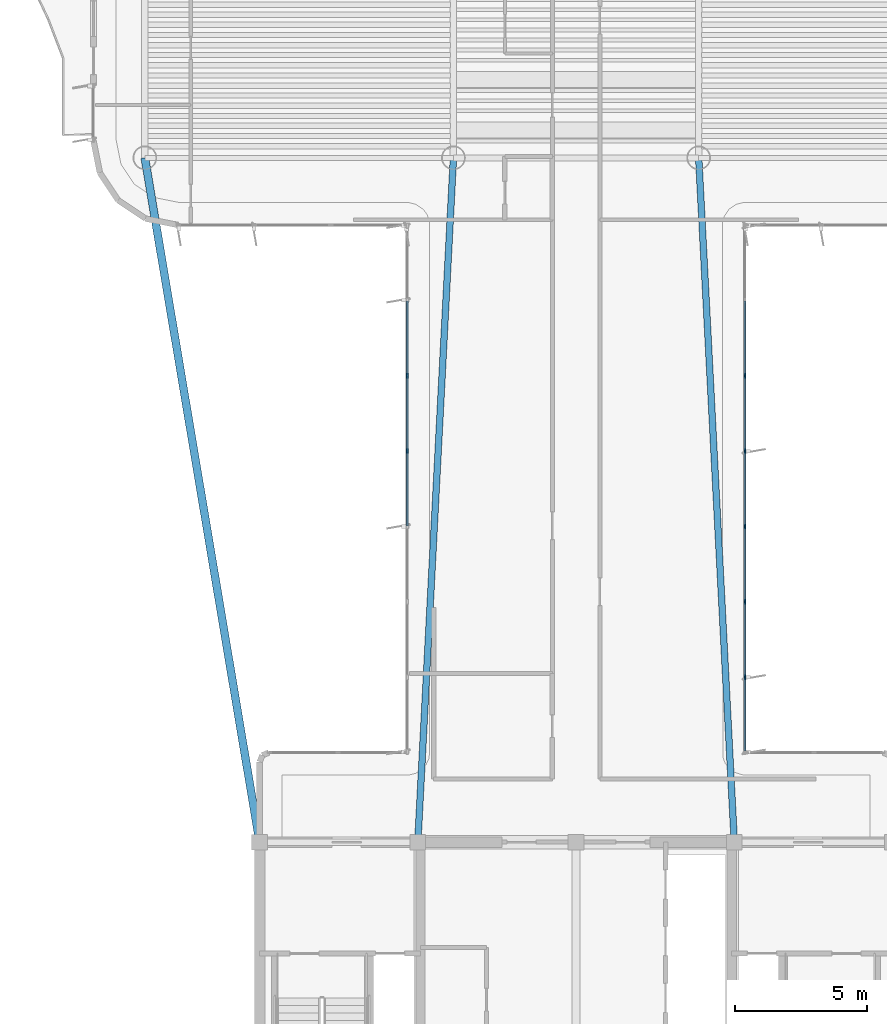
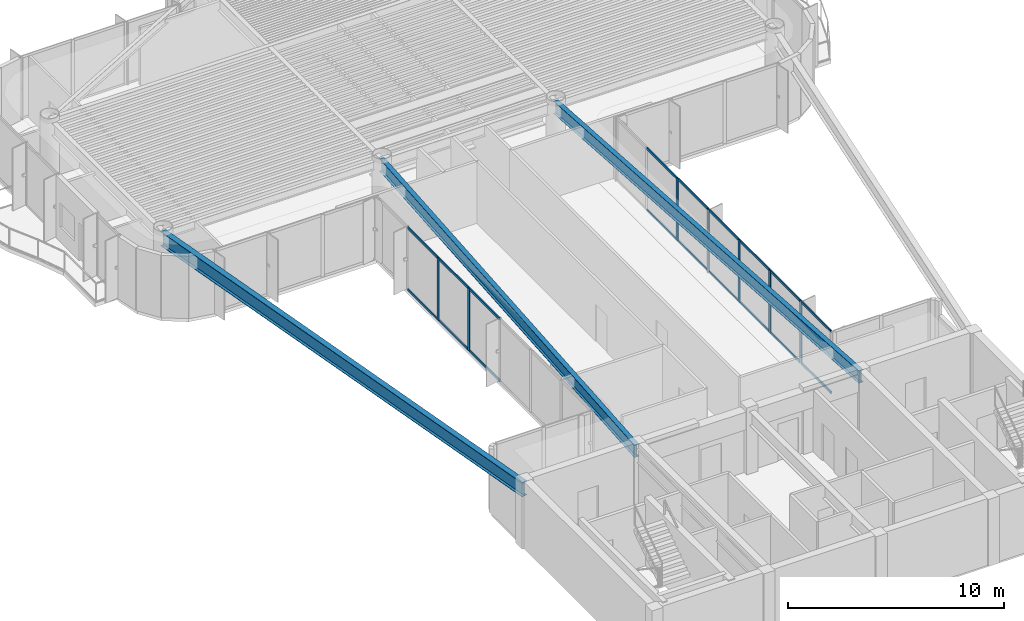
# One storey, part 3 of 15: 25 members, 3 beams, 2 elements without a shape of their own.
"""IFC4 building model written with IfcOpenShell, lengths in metres."""

from ifc_helpers import new_model, si_unit, direction, frame, origin, origin_2d, place, context, subcontext, project, spatial, rectangle, i_section, extrude, source, transform, mapped, material, layer, layer_set, material_profile, profile_set, type_object, element, aggregate, save


model = new_model("IFC4")

# Units and contexts
model_context = context("Model", 3, precision=1e-05, world=origin(), true_north=direction((0.0, 1.0)))
body_context = subcontext(model_context, "Body", "Model", "MODEL_VIEW")
ifc_project = project(units=[si_unit("LENGTHUNIT", "METRE"), si_unit("AREAUNIT", "SQUARE_METRE"), si_unit("VOLUMEUNIT", "CUBIC_METRE"), si_unit("PLANEANGLEUNIT", "RADIAN"), si_unit("MASSUNIT", "GRAM", prefix="KILO")], contexts=[model_context])

# Site, building, storey
site_placement = place(None, origin())
site = spatial("IfcSite", under=ifc_project, at=site_placement, CompositionType="ELEMENT")
building_placement = place(site_placement, origin())
building = spatial("IfcBuilding", under=site, at=building_placement, Name="Brelvock Crest Care Tower", CompositionType="ELEMENT")
storey_placement = place(building_placement, frame((0.0, 0.0, 283.5)))
storey = spatial("IfcBuildingStorey", under=building, at=storey_placement, Name="L72", CompositionType="ELEMENT", Elevation=283.5)

# Beams
ifc_material_1 = material(Name="Steel Grade 350", Category="steel")
ifc_material_profile_1 = material_profile(ifc_material_1, i_section(OverallWidth=0.25, OverallDepth=0.699951171875, WebThickness=0.011962890625, FlangeThickness=0.02001953125, at=origin_2d()), Name="700WB150")
ifc_profile_set_1 = profile_set([ifc_material_profile_1], Name="Steel Grade 350")
beam_type_1 = type_object("IfcBeamType", Name="BM-G4", PredefinedType="BEAM", material=ifc_profile_set_1)
shared_shape_1 = source(origin(), body_context, "Body", "SweptSolid", [
    extrude(i_section(OverallWidth=0.25, OverallDepth=0.699951171875, WebThickness=0.011962890625, FlangeThickness=0.02001953125, at=origin_2d()), origin(), (0.0, 0.0, 1.0), 25.985107421875),
])
for number, where, z_axis, x_axis, name in (
    (1, (30.0, 18.0, 3.179931640625), (0.051956711656, 0.998649337913, 0.0), (-0.998649337913, 0.051956711656, 0.0), "BM-THRW-L72"),
    (2, (42.0, 18.0, 3.179931640625), (-0.051956711656, 0.998649337913, 0.0), (-0.998649337913, -0.051956711656, 0.0), "BM-THRE-L72"),
):
    element("IfcBeam", number, at=place(storey_placement, frame(where, z_axis=z_axis, x_axis=x_axis)), inside=storey, type_object=beam_type_1, Name=name, PredefinedType="BEAM", context=body_context, shape_type="MappedRepresentation", body=[
        mapped(shared_shape_1, transform((0.0, 0.0, 0.0), x_axis=(1.0, 0.0, 0.0), y_axis=(0.0, 1.0, 0.0), z_axis=(0.0, 0.0, 1.0), scale=1.0)),
    ])
ifc_material_profile_2 = material_profile(ifc_material_1, i_section(OverallWidth=0.300048828125, OverallDepth=0.800048828125, WebThickness=0.013916015625, FlangeThickness=0.02197265625, at=origin_2d()), Name="800WB192")
ifc_profile_set_2 = profile_set([ifc_material_profile_2], Name="Steel Grade 350")
beam_type_2 = type_object("IfcBeamType", Name="BM-G5", PredefinedType="BEAM", material=ifc_profile_set_2)
shared_shape_2 = source(origin(), body_context, "Body", "SweptSolid", [
    extrude(i_section(OverallWidth=0.300048828125, OverallDepth=0.800048828125, WebThickness=0.013916015625, FlangeThickness=0.02197265625, at=origin_2d()), origin(), (0.0, 0.0, 1.0), 26.31201171875),
])
beam_placement = place(storey_placement, frame((24.0, 18.0, 3.1298828125), z_axis=(-0.165327282709, 0.986238758918, 0.0), x_axis=(-0.986238758918, -0.165327282709, 0.0)))
element("IfcBeam", 3, at=beam_placement, inside=storey, type_object=beam_type_2, Name="BM-THRO-W-L72", PredefinedType="BEAM", context=body_context, shape_type="MappedRepresentation", body=[
    mapped(shared_shape_2, transform((0.0, 0.0, 0.0), x_axis=(1.0, 0.0, 0.0), y_axis=(0.0, 1.0, 0.0), z_axis=(0.0, 0.0, 1.0), scale=1.0)),
])

# Curtain wall, members
ifc_material_2 = material(Name="Dark Glass Double Glazed Low-E", Category="glass")
ifc_layer = layer(ifc_material_2, 0.239990234375, Name="CWS-5")
ifc_layer_set = layer_set([ifc_layer], Name="Dark Glass Double Glazed Low-E")
curtain_wall_type = type_object("IfcCurtainWallType", Name="CWS-5", PredefinedType="NOTDEFINED", material=ifc_layer_set)
curtain_wall_1_placement = place(storey_placement, origin())
curtain_wall_1 = element("IfcCurtainWall", 4, at=curtain_wall_1_placement, inside=storey, type_object=curtain_wall_type, Name="L72 Curtain Wall E11", PredefinedType="NOTDEFINED")
ifc_material_3 = material(Name="Aluminium 6063-T6", Category="aluminium")
ifc_material_profile_3 = material_profile(ifc_material_3, rectangle(XDim=0.06005859375, YDim=0.179931640625, at=origin_2d()), Name="ALU60x180")
ifc_profile_set_3 = profile_set([ifc_material_profile_3], Name="Aluminium 6063-T6")
member_type_1 = type_object("IfcMemberType", Name="CWM-2", PredefinedType="MULLION", material=ifc_profile_set_3)
shared_shape_3 = source(origin(), body_context, "Body", "SweptSolid", [
    extrude(rectangle(XDim=0.06005859375, YDim=0.179931640625, at=origin_2d()), origin(), (0.0, 0.0, 1.0), 3.530029296875),
])
member_1_placement = place(storey_placement, frame((29.60009765625, 32.82861328125, 0.0), z_axis=(0.0, 0.0, 1.0), x_axis=(-1.0, 0.0, 0.0)))
member_1 = element("IfcMember", 5, at=member_1_placement, type_object=member_type_1, Name="CW-5 mullion 5", PredefinedType="MULLION", context=body_context, shape_type="MappedRepresentation", body=[
    mapped(shared_shape_3, transform((0.0, 0.0, 0.0), x_axis=(1.0, 0.0, 0.0), y_axis=(0.0, 1.0, 0.0), z_axis=(0.0, 0.0, 1.0), scale=1.0)),
])
member_2_placement = place(storey_placement, frame((29.60009765625, 35.685791015625, 0.0), z_axis=(0.0, 0.0, 1.0), x_axis=(-1.0, 0.0, 0.0)))
member_2 = element("IfcMember", 6, at=member_2_placement, type_object=member_type_1, Name="CW-5 mullion 6", PredefinedType="MULLION", context=body_context, shape_type="MappedRepresentation", body=[
    mapped(shared_shape_3, transform((0.0, 0.0, 0.0), x_axis=(1.0, 0.0, 0.0), y_axis=(0.0, 1.0, 0.0), z_axis=(0.0, 0.0, 1.0), scale=1.0)),
])

curtain_wall_2_placement = place(storey_placement, origin())
curtain_wall_2 = element("IfcCurtainWall", 7, at=curtain_wall_2_placement, inside=storey, type_object=curtain_wall_type, Name="L72 Curtain Wall E45", PredefinedType="NOTDEFINED")
member_3_placement = place(storey_placement, frame((42.39990234375, 35.685791015625, 0.0), z_axis=(0.0, 0.0, 1.0), x_axis=(1.0, 0.0, 0.0)))
member_3 = element("IfcMember", 8, at=member_3_placement, type_object=member_type_1, Name="CW-5 mullion 3", PredefinedType="MULLION", context=body_context, shape_type="MappedRepresentation", body=[
    mapped(shared_shape_3, transform((0.0, 0.0, 0.0), x_axis=(1.0, 0.0, 0.0), y_axis=(0.0, 1.0, 0.0), z_axis=(0.0, 0.0, 1.0), scale=1.0)),
])
member_4_placement = place(storey_placement, frame((42.39990234375, 32.82861328125, 0.0), z_axis=(0.0, 0.0, 1.0), x_axis=(1.0, 0.0, 0.0)))
member_4 = element("IfcMember", 9, at=member_4_placement, type_object=member_type_1, Name="CW-5 mullion 4", PredefinedType="MULLION", context=body_context, shape_type="MappedRepresentation", body=[
    mapped(shared_shape_3, transform((0.0, 0.0, 0.0), x_axis=(1.0, 0.0, 0.0), y_axis=(0.0, 1.0, 0.0), z_axis=(0.0, 0.0, 1.0), scale=1.0)),
])
member_5_placement = place(storey_placement, frame((42.39990234375, 29.971435546875, 0.0), z_axis=(0.0, 0.0, 1.0), x_axis=(1.0, 0.0, 0.0)))
member_5 = element("IfcMember", 10, at=member_5_placement, type_object=member_type_1, Name="CW-5 mullion 5", PredefinedType="MULLION", context=body_context, shape_type="MappedRepresentation", body=[
    mapped(shared_shape_3, transform((0.0, 0.0, 0.0), x_axis=(1.0, 0.0, 0.0), y_axis=(0.0, 1.0, 0.0), z_axis=(0.0, 0.0, 1.0), scale=1.0)),
])
member_6_placement = place(storey_placement, frame((42.39990234375, 27.1142578125, 0.0), z_axis=(0.0, 0.0, 1.0), x_axis=(1.0, 0.0, 0.0)))
member_6 = element("IfcMember", 11, at=member_6_placement, type_object=member_type_1, Name="CW-5 mullion 6", PredefinedType="MULLION", context=body_context, shape_type="MappedRepresentation", body=[
    mapped(shared_shape_3, transform((0.0, 0.0, 0.0), x_axis=(1.0, 0.0, 0.0), y_axis=(0.0, 1.0, 0.0), z_axis=(0.0, 0.0, 1.0), scale=1.0)),
])
member_7_placement = place(storey_placement, frame((42.39990234375, 24.257080078125, 0.0), z_axis=(0.0, 0.0, 1.0), x_axis=(1.0, 0.0, 0.0)))
member_7 = element("IfcMember", 12, at=member_7_placement, type_object=member_type_1, Name="CW-5 mullion 7", PredefinedType="MULLION", context=body_context, shape_type="MappedRepresentation", body=[
    mapped(shared_shape_3, transform((0.0, 0.0, 0.0), x_axis=(1.0, 0.0, 0.0), y_axis=(0.0, 1.0, 0.0), z_axis=(0.0, 0.0, 1.0), scale=1.0)),
])
ifc_material_profile_4 = material_profile(ifc_material_3, rectangle(XDim=0.06005859375, YDim=0.139892578125, at=origin_2d()), Name="ALU60x140")
ifc_profile_set_4 = profile_set([ifc_material_profile_4], Name="Aluminium 6063-T6")
member_type_2 = type_object("IfcMemberType", Name="CWT-2", PredefinedType="USERDEFINED", material=ifc_profile_set_4)
shared_shape_4 = source(origin(), body_context, "Body", "SweptSolid", [
    extrude(rectangle(XDim=0.06005859375, YDim=0.139892578125, at=origin_2d()), origin(), (0.0, 0.0, 1.0), 2.76708984375),
])
member_8_placement = place(storey_placement, frame((42.39990234375, 24.22705078125, 0.030029296875), z_axis=(0.0, -1.0, 0.0), x_axis=(1.0, 0.0, 0.0)))
member_8 = element("IfcMember", 13, at=member_8_placement, type_object=member_type_2, Name="CW-5 transom 7.1", ObjectType="TRANSOM", PredefinedType="USERDEFINED", context=body_context, shape_type="MappedRepresentation", body=[
    mapped(shared_shape_4, transform((0.0, 0.0, 0.0), x_axis=(1.0, 0.0, 0.0), y_axis=(0.0, 1.0, 0.0), z_axis=(0.0, 0.0, 1.0), scale=1.0)),
])
member_9_placement = place(storey_placement, frame((42.39990234375, 24.22705078125, 3.5), z_axis=(0.0, -1.0, 0.0), x_axis=(1.0, 0.0, 0.0)))
member_9 = element("IfcMember", 14, at=member_9_placement, type_object=member_type_2, Name="CW-5 transom 7.2", ObjectType="TRANSOM", PredefinedType="USERDEFINED", context=body_context, shape_type="MappedRepresentation", body=[
    mapped(shared_shape_4, transform((0.0, 0.0, 0.0), x_axis=(1.0, 0.0, 0.0), y_axis=(0.0, 1.0, 0.0), z_axis=(0.0, 0.0, 1.0), scale=1.0)),
])

# Member
shared_shape_5 = source(origin(), body_context, "Body", "SweptSolid", [
    extrude(rectangle(XDim=0.06005859375, YDim=0.139892578125, at=origin_2d()), origin(), (0.0, 0.0, 1.0), 2.797119140625),
])
member_10_placement = place(storey_placement, frame((29.60009765625, 30.00146484375, 0.030029296875), z_axis=(0.0, 1.0, 0.0), x_axis=(-1.0, 0.0, 0.0)))
member_10 = element("IfcMember", 15, at=member_10_placement, type_object=member_type_2, Name="CW-5 transom 4.1", ObjectType="TRANSOM", PredefinedType="USERDEFINED", context=body_context, shape_type="MappedRepresentation", body=[
    mapped(shared_shape_5, transform((0.0, 0.0, 0.0), x_axis=(1.0, 0.0, 0.0), y_axis=(0.0, 1.0, 0.0), z_axis=(0.0, 0.0, 1.0), scale=1.0)),
])

member_11_placement = place(storey_placement, frame((29.60009765625, 30.00146484375, 3.5), z_axis=(0.0, 1.0, 0.0), x_axis=(-1.0, 0.0, 0.0)))
member_11 = element("IfcMember", 16, at=member_11_placement, type_object=member_type_2, Name="CW-5 transom 4.2", ObjectType="TRANSOM", PredefinedType="USERDEFINED", context=body_context, shape_type="MappedRepresentation", body=[
    mapped(shared_shape_5, transform((0.0, 0.0, 0.0), x_axis=(1.0, 0.0, 0.0), y_axis=(0.0, 1.0, 0.0), z_axis=(0.0, 0.0, 1.0), scale=1.0)),
])

member_12_placement = place(storey_placement, frame((29.60009765625, 32.858642578125, 0.030029296875), z_axis=(0.0, 1.0, 0.0), x_axis=(-1.0, 0.0, 0.0)))
member_12 = element("IfcMember", 17, at=member_12_placement, type_object=member_type_2, Name="CW-5 transom 5.1", ObjectType="TRANSOM", PredefinedType="USERDEFINED", context=body_context, shape_type="MappedRepresentation", body=[
    mapped(shared_shape_5, transform((0.0, 0.0, 0.0), x_axis=(1.0, 0.0, 0.0), y_axis=(0.0, 1.0, 0.0), z_axis=(0.0, 0.0, 1.0), scale=1.0)),
])

member_13_placement = place(storey_placement, frame((29.60009765625, 32.858642578125, 3.5), z_axis=(0.0, 1.0, 0.0), x_axis=(-1.0, 0.0, 0.0)))
member_13 = element("IfcMember", 18, at=member_13_placement, type_object=member_type_2, Name="CW-5 transom 5.2", ObjectType="TRANSOM", PredefinedType="USERDEFINED", context=body_context, shape_type="MappedRepresentation", body=[
    mapped(shared_shape_5, transform((0.0, 0.0, 0.0), x_axis=(1.0, 0.0, 0.0), y_axis=(0.0, 1.0, 0.0), z_axis=(0.0, 0.0, 1.0), scale=1.0)),
])

member_14_placement = place(storey_placement, frame((29.60009765625, 35.7158203125, 0.030029296875), z_axis=(0.0, 1.0, 0.0), x_axis=(-1.0, 0.0, 0.0)))
member_14 = element("IfcMember", 19, at=member_14_placement, type_object=member_type_2, Name="CW-5 transom 6.1", ObjectType="TRANSOM", PredefinedType="USERDEFINED", context=body_context, shape_type="MappedRepresentation", body=[
    mapped(shared_shape_5, transform((0.0, 0.0, 0.0), x_axis=(1.0, 0.0, 0.0), y_axis=(0.0, 1.0, 0.0), z_axis=(0.0, 0.0, 1.0), scale=1.0)),
])

member_15_placement = place(storey_placement, frame((29.60009765625, 35.7158203125, 3.5), z_axis=(0.0, 1.0, 0.0), x_axis=(-1.0, 0.0, 0.0)))
member_15 = element("IfcMember", 20, at=member_15_placement, type_object=member_type_2, Name="CW-5 transom 6.2", ObjectType="TRANSOM", PredefinedType="USERDEFINED", context=body_context, shape_type="MappedRepresentation", body=[
    mapped(shared_shape_5, transform((0.0, 0.0, 0.0), x_axis=(1.0, 0.0, 0.0), y_axis=(0.0, 1.0, 0.0), z_axis=(0.0, 0.0, 1.0), scale=1.0)),
])

aggregate(curtain_wall_1, [member_1, member_2, member_10, member_11, member_12, member_13, member_14, member_15])

member_16_placement = place(storey_placement, frame((42.39990234375, 38.512939453125, 0.030029296875), z_axis=(0.0, -1.0, 0.0), x_axis=(1.0, 0.0, 0.0)))
member_16 = element("IfcMember", 21, at=member_16_placement, type_object=member_type_2, Name="CW-5 transom 2.1", ObjectType="TRANSOM", PredefinedType="USERDEFINED", context=body_context, shape_type="MappedRepresentation", body=[
    mapped(shared_shape_5, transform((0.0, 0.0, 0.0), x_axis=(1.0, 0.0, 0.0), y_axis=(0.0, 1.0, 0.0), z_axis=(0.0, 0.0, 1.0), scale=1.0)),
])

member_17_placement = place(storey_placement, frame((42.39990234375, 38.512939453125, 3.5), z_axis=(0.0, -1.0, 0.0), x_axis=(1.0, 0.0, 0.0)))
member_17 = element("IfcMember", 22, at=member_17_placement, type_object=member_type_2, Name="CW-5 transom 2.2", ObjectType="TRANSOM", PredefinedType="USERDEFINED", context=body_context, shape_type="MappedRepresentation", body=[
    mapped(shared_shape_5, transform((0.0, 0.0, 0.0), x_axis=(1.0, 0.0, 0.0), y_axis=(0.0, 1.0, 0.0), z_axis=(0.0, 0.0, 1.0), scale=1.0)),
])

member_18_placement = place(storey_placement, frame((42.39990234375, 35.65576171875, 0.030029296875), z_axis=(0.0, -1.0, 0.0), x_axis=(1.0, 0.0, 0.0)))
member_18 = element("IfcMember", 23, at=member_18_placement, type_object=member_type_2, Name="CW-5 transom 3.1", ObjectType="TRANSOM", PredefinedType="USERDEFINED", context=body_context, shape_type="MappedRepresentation", body=[
    mapped(shared_shape_5, transform((0.0, 0.0, 0.0), x_axis=(1.0, 0.0, 0.0), y_axis=(0.0, 1.0, 0.0), z_axis=(0.0, 0.0, 1.0), scale=1.0)),
])

member_19_placement = place(storey_placement, frame((42.39990234375, 35.65576171875, 3.5), z_axis=(0.0, -1.0, 0.0), x_axis=(1.0, 0.0, 0.0)))
member_19 = element("IfcMember", 24, at=member_19_placement, type_object=member_type_2, Name="CW-5 transom 3.2", ObjectType="TRANSOM", PredefinedType="USERDEFINED", context=body_context, shape_type="MappedRepresentation", body=[
    mapped(shared_shape_5, transform((0.0, 0.0, 0.0), x_axis=(1.0, 0.0, 0.0), y_axis=(0.0, 1.0, 0.0), z_axis=(0.0, 0.0, 1.0), scale=1.0)),
])

member_20_placement = place(storey_placement, frame((42.39990234375, 32.798583984375, 0.030029296875), z_axis=(0.0, -1.0, 0.0), x_axis=(1.0, 0.0, 0.0)))
member_20 = element("IfcMember", 25, at=member_20_placement, type_object=member_type_2, Name="CW-5 transom 4.1", ObjectType="TRANSOM", PredefinedType="USERDEFINED", context=body_context, shape_type="MappedRepresentation", body=[
    mapped(shared_shape_5, transform((0.0, 0.0, 0.0), x_axis=(1.0, 0.0, 0.0), y_axis=(0.0, 1.0, 0.0), z_axis=(0.0, 0.0, 1.0), scale=1.0)),
])

member_21_placement = place(storey_placement, frame((42.39990234375, 32.798583984375, 3.5), z_axis=(0.0, -1.0, 0.0), x_axis=(1.0, 0.0, 0.0)))
member_21 = element("IfcMember", 26, at=member_21_placement, type_object=member_type_2, Name="CW-5 transom 4.2", ObjectType="TRANSOM", PredefinedType="USERDEFINED", context=body_context, shape_type="MappedRepresentation", body=[
    mapped(shared_shape_5, transform((0.0, 0.0, 0.0), x_axis=(1.0, 0.0, 0.0), y_axis=(0.0, 1.0, 0.0), z_axis=(0.0, 0.0, 1.0), scale=1.0)),
])

member_22_placement = place(storey_placement, frame((42.39990234375, 29.94140625, 0.030029296875), z_axis=(0.0, -1.0, 0.0), x_axis=(1.0, 0.0, 0.0)))
member_22 = element("IfcMember", 27, at=member_22_placement, type_object=member_type_2, Name="CW-5 transom 5.1", ObjectType="TRANSOM", PredefinedType="USERDEFINED", context=body_context, shape_type="MappedRepresentation", body=[
    mapped(shared_shape_5, transform((0.0, 0.0, 0.0), x_axis=(1.0, 0.0, 0.0), y_axis=(0.0, 1.0, 0.0), z_axis=(0.0, 0.0, 1.0), scale=1.0)),
])

member_23_placement = place(storey_placement, frame((42.39990234375, 29.94140625, 3.5), z_axis=(0.0, -1.0, 0.0), x_axis=(1.0, 0.0, 0.0)))
member_23 = element("IfcMember", 28, at=member_23_placement, type_object=member_type_2, Name="CW-5 transom 5.2", ObjectType="TRANSOM", PredefinedType="USERDEFINED", context=body_context, shape_type="MappedRepresentation", body=[
    mapped(shared_shape_5, transform((0.0, 0.0, 0.0), x_axis=(1.0, 0.0, 0.0), y_axis=(0.0, 1.0, 0.0), z_axis=(0.0, 0.0, 1.0), scale=1.0)),
])

member_24_placement = place(storey_placement, frame((42.39990234375, 27.084228515625, 0.030029296875), z_axis=(0.0, -1.0, 0.0), x_axis=(1.0, 0.0, 0.0)))
member_24 = element("IfcMember", 29, at=member_24_placement, type_object=member_type_2, Name="CW-5 transom 6.1", ObjectType="TRANSOM", PredefinedType="USERDEFINED", context=body_context, shape_type="MappedRepresentation", body=[
    mapped(shared_shape_5, transform((0.0, 0.0, 0.0), x_axis=(1.0, 0.0, 0.0), y_axis=(0.0, 1.0, 0.0), z_axis=(0.0, 0.0, 1.0), scale=1.0)),
])

member_25_placement = place(storey_placement, frame((42.39990234375, 27.084228515625, 3.5), z_axis=(0.0, -1.0, 0.0), x_axis=(1.0, 0.0, 0.0)))
member_25 = element("IfcMember", 30, at=member_25_placement, type_object=member_type_2, Name="CW-5 transom 6.2", ObjectType="TRANSOM", PredefinedType="USERDEFINED", context=body_context, shape_type="MappedRepresentation", body=[
    mapped(shared_shape_5, transform((0.0, 0.0, 0.0), x_axis=(1.0, 0.0, 0.0), y_axis=(0.0, 1.0, 0.0), z_axis=(0.0, 0.0, 1.0), scale=1.0)),
])

aggregate(curtain_wall_2, [member_3, member_4, member_5, member_6, member_7, member_16, member_17, member_18, member_19, member_20, member_21, member_22, member_23, member_24, member_25, member_8, member_9])

save(model, "model.ifc")
